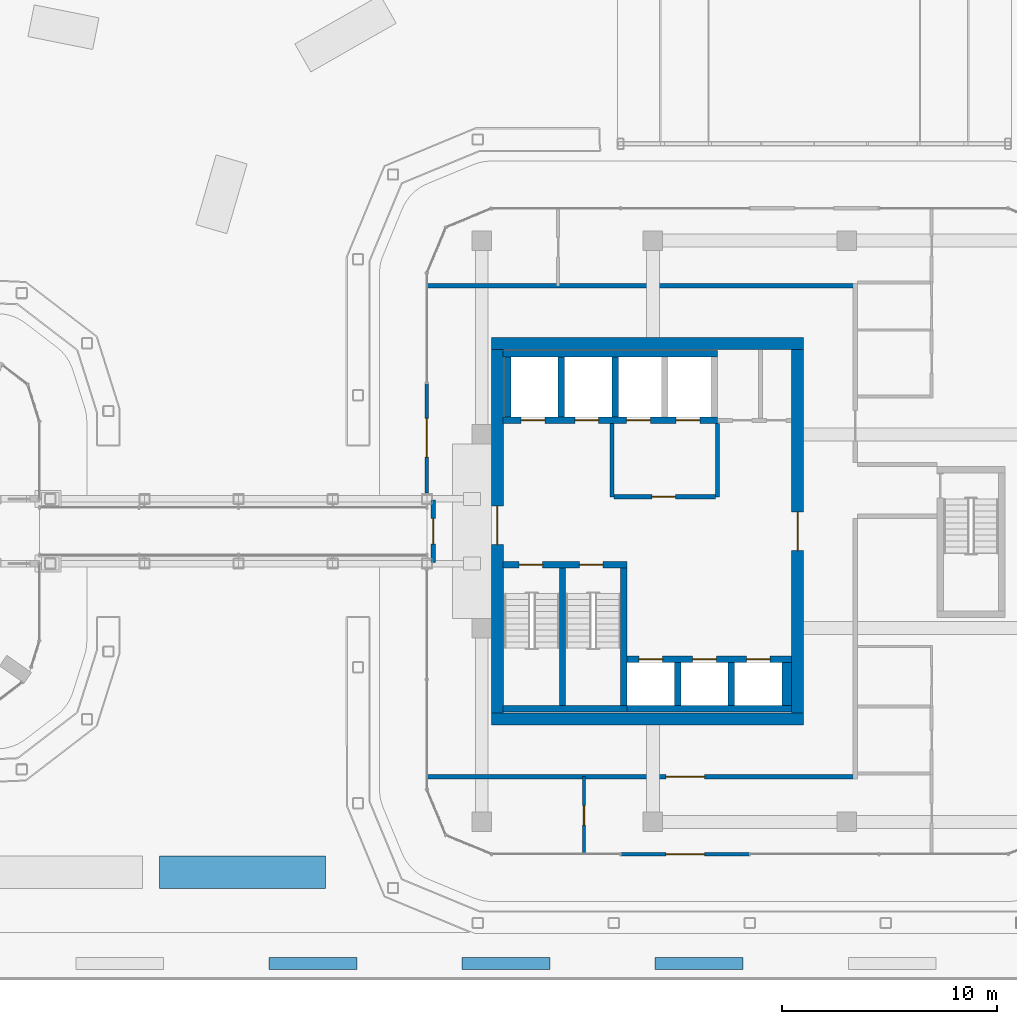
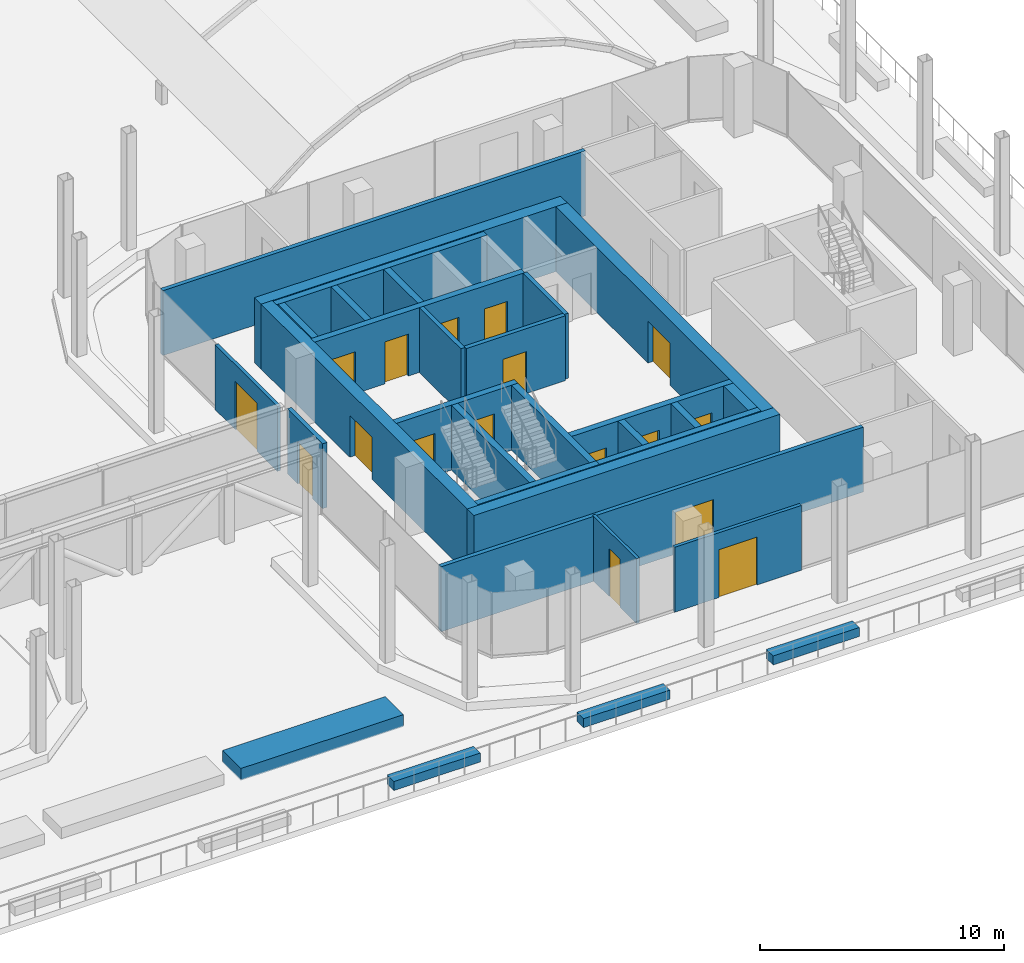
# One storey, part 27 of 33: 31 walls, 17 doors, 17 openings.
"""IFC4 building model written with IfcOpenShell, lengths in metres."""

from ifc_helpers import new_model, si_unit, direction, frame, frame_2d, origin, place, context, subcontext, project, spatial, rectangle, extrude, material, layer, layer_set, type_object, element, fill, save


model = new_model("IFC4")

# Units and contexts
model_context = context("Model", 3, precision=1e-05, world=origin(), true_north=direction((0.0, 1.0)))
body_context = subcontext(model_context, "Body", "Model", "MODEL_VIEW")
ifc_project = project(units=[si_unit("LENGTHUNIT", "METRE"), si_unit("AREAUNIT", "SQUARE_METRE"), si_unit("VOLUMEUNIT", "CUBIC_METRE"), si_unit("PLANEANGLEUNIT", "RADIAN"), si_unit("MASSUNIT", "GRAM", prefix="KILO")], contexts=[model_context])

# Site, building, storey
site_placement = place(None, origin())
site = spatial("IfcSite", under=ifc_project, at=site_placement, CompositionType="ELEMENT")
building_placement = place(site_placement, origin())
building = spatial("IfcBuilding", under=site, at=building_placement, Name="Plateau Cross Towers", CompositionType="ELEMENT")
storey_placement = place(building_placement, frame((0.0, 0.0, 26.800048828125)))
storey = spatial("IfcBuildingStorey", under=building, at=storey_placement, Name="L05", CompositionType="ELEMENT", Elevation=26.800048828125)

# Wall
ifc_material_1 = material(Name="Concrete block, plastered both sides", Category="concrete")
ifc_layer_1 = layer(ifc_material_1, 0.199951171875)
ifc_layer_set_1 = layer_set([ifc_layer_1], Name="Concrete block, plastered both sides")
wall_type_1 = type_object("IfcWallType", Name="Core partition 200", PredefinedType="PARTITIONING", material=ifc_layer_set_1)
wall_1_placement = place(storey_placement, frame((80.60009765625, 10.60009765625, 0.0), z_axis=(0.0, 0.0, 1.0), x_axis=(0.0, 1.0, 0.0)))
element("IfcWall", 1, at=wall_1_placement, inside=storey, type_object=wall_type_1, Name="Core partition", PredefinedType="PARTITIONING", context=body_context, shape_type="SweptSolid", body=[
    extrude(rectangle(XDim=3.39990234375, YDim=0.199951171875, at=frame_2d((1.699951171875, 0.0))), origin(), (0.0, 0.0, 1.0), 3.25),
])

# Wall, opening, door
wall_2_placement = place(storey_placement, frame((80.699951171875, 10.60009765625, 0.0), z_axis=(0.0, 0.0, 1.0), x_axis=(1.0, 0.0, 0.0)))
wall_2 = element("IfcWall", 2, at=wall_2_placement, inside=storey, type_object=wall_type_1, Name="Core partition", PredefinedType="PARTITIONING", context=body_context, shape_type="SweptSolid", body=[
    extrude(rectangle(XDim=4.699951171875, YDim=0.199951171875, at=frame_2d((2.35009765625, 0.0))), origin(), (0.0, 0.0, 1.0), 3.25),
])
opening_1_placement = place(wall_2_placement, frame((1.75, 0.0, 0.0)))
opening_1 = element("IfcOpeningElement", 3, at=opening_1_placement, cuts=wall_2, Name="Opening FFD", PredefinedType="OPENING", context=body_context, shape_type="SweptSolid", body=[
    extrude(rectangle(XDim=1.10009765625, YDim=2.10009765625, at=frame_2d((0.550048828125, 1.050048828125))), frame((0.0, 0.10986328125, 0.0), z_axis=(0.0, -1.0, 0.0), x_axis=(1.0, 0.0, 0.0)), (0.0, 0.0, 1.0), 0.219970703125),
])
ifc_material_2 = material(Name="Steel, fire-resisting leaf", Category="steel")
door_type_1 = type_object("IfcDoorType", Name="Firefighting lobby door 1100", OperationType="NOTDEFINED", PredefinedType="DOOR", material=ifc_material_2)
door_1_placement = place(opening_1_placement, origin())
door_1 = element("IfcDoor", 4, at=door_1_placement, inside=storey, type_object=door_type_1, Name="Firefighting lobby door FFD", OperationType="SINGLE_SWING_LEFT", OverallHeight=2.10009765625, OverallWidth=1.10009765625, PredefinedType="DOOR", context=body_context, shape_type="SweptSolid", body=[
    extrude(rectangle(XDim=1.10009765625, YDim=2.10009765625, at=frame_2d((0.550048828125, 1.050048828125))), frame((0.0, 0.02490234375, 0.0), z_axis=(0.0, -1.0, 0.0), x_axis=(1.0, 0.0, 0.0)), (0.0, 0.0, 1.0), 0.050048828125),
])
fill(opening_1, door_1)

# Walls
wall_3_placement = place(storey_placement, frame((85.5, 10.60009765625, 0.0), z_axis=(0.0, 0.0, 1.0), x_axis=(0.0, 1.0, 0.0)))
element("IfcWall", 5, at=wall_3_placement, inside=storey, type_object=wall_type_1, Name="Core partition", PredefinedType="PARTITIONING", context=body_context, shape_type="SweptSolid", body=[
    extrude(rectangle(XDim=3.39990234375, YDim=0.199951171875, at=frame_2d((1.699951171875, 0.0))), origin(), (0.0, 0.0, 1.0), 3.25),
])
ifc_material_3 = material(Name="Concrete C60/75", Category="concrete")
ifc_layer_2 = layer(ifc_material_3, 0.300048828125)
ifc_layer_set_2 = layer_set([ifc_layer_2], Name="Concrete C60/75")
wall_type_2 = type_object("IfcWallType", Name="Core shaft wall 300", PredefinedType="SHEAR", material=ifc_layer_set_2)
wall_4_placement = place(storey_placement, frame((75.530029296875, 0.75, 0.0), z_axis=(0.0, 0.0, 1.0), x_axis=(1.0, 0.0, 0.0)))
element("IfcWall", 6, at=wall_4_placement, inside=storey, type_object=wall_type_2, Name="B-sb-stS@L05", PredefinedType="SHEAR", context=body_context, shape_type="SweptSolid", body=[
    extrude(rectangle(XDim=5.77001953125, YDim=0.300048828125, at=frame_2d((2.885009765625, 0.0))), origin(), (0.0, 0.0, 1.0), 3.25),
])

# Wall, openings, doors
wall_5_placement = place(storey_placement, frame((75.530029296875, 7.449951171875, 0.0), z_axis=(0.0, 0.0, 1.0), x_axis=(1.0, 0.0, 0.0)))
wall_5 = element("IfcWall", 7, at=wall_5_placement, inside=storey, type_object=wall_type_2, Name="B-sb-stN@L05", PredefinedType="SHEAR", context=body_context, shape_type="SweptSolid", body=[
    extrude(rectangle(XDim=5.77001953125, YDim=0.300048828125, at=frame_2d((2.885009765625, 0.0))), origin(), (0.0, 0.0, 1.0), 3.25),
])
opening_2_placement = place(wall_5_placement, frame((0.75, 0.0, 0.0)))
opening_2 = element("IfcOpeningElement", 8, at=opening_2_placement, cuts=wall_5, Name="Opening SD", PredefinedType="OPENING", context=body_context, shape_type="SweptSolid", body=[
    extrude(rectangle(XDim=1.10009765625, YDim=2.10009765625, at=frame_2d((0.550048828125, 1.050048828125))), frame((0.0, 0.159912109375, 0.0), z_axis=(0.0, -1.0, 0.0), x_axis=(1.0, 0.0, 0.0)), (0.0, 0.0, 1.0), 0.320068359375),
])
opening_3_placement = place(wall_5_placement, frame((3.550048828125, 0.0, 0.0)))
opening_3 = element("IfcOpeningElement", 9, at=opening_3_placement, cuts=wall_5, Name="Opening SD", PredefinedType="OPENING", context=body_context, shape_type="SweptSolid", body=[
    extrude(rectangle(XDim=1.10009765625, YDim=2.10009765625, at=frame_2d((0.550048828125, 1.050048828125))), frame((0.0, 0.159912109375, 0.0), z_axis=(0.0, -1.0, 0.0), x_axis=(1.0, 0.0, 0.0)), (0.0, 0.0, 1.0), 0.320068359375),
])
door_type_2 = type_object("IfcDoorType", Name="Stair door 1100", OperationType="NOTDEFINED", PredefinedType="DOOR", material=ifc_material_2)
door_2_placement = place(opening_2_placement, origin())
door_2 = element("IfcDoor", 10, at=door_2_placement, inside=storey, type_object=door_type_2, Name="Stair door SD", OperationType="SINGLE_SWING_RIGHT", OverallHeight=2.10009765625, OverallWidth=1.10009765625, PredefinedType="DOOR", context=body_context, shape_type="SweptSolid", body=[
    extrude(rectangle(XDim=1.10009765625, YDim=2.10009765625, at=frame_2d((0.550048828125, 1.050048828125))), frame((0.0, 0.02490234375, 0.0), z_axis=(0.0, -1.0, 0.0), x_axis=(1.0, 0.0, 0.0)), (0.0, 0.0, 1.0), 0.050048828125),
])
fill(opening_2, door_2)
door_3_placement = place(opening_3_placement, origin())
door_3 = element("IfcDoor", 11, at=door_3_placement, inside=storey, type_object=door_type_2, Name="Stair door SD", OperationType="SINGLE_SWING_LEFT", OverallHeight=2.10009765625, OverallWidth=1.10009765625, PredefinedType="DOOR", context=body_context, shape_type="SweptSolid", body=[
    extrude(rectangle(XDim=1.10009765625, YDim=2.10009765625, at=frame_2d((0.550048828125, 1.050048828125))), frame((0.0, 0.02490234375, 0.0), z_axis=(0.0, -1.0, 0.0), x_axis=(1.0, 0.0, 0.0)), (0.0, 0.0, 1.0), 0.050048828125),
])
fill(opening_3, door_3)

# Walls
for number, where, z_axis, x_axis, name in (
    (12, (78.300048828125, 0.89990234375, 0.0), (0.0, 0.0, 1.0), (0.0, 1.0, 0.0), "B-sb-st1@L05"),
    (13, (81.14990234375, 0.89990234375, 0.0), (0.0, 0.0, 1.0), (0.0, 1.0, 0.0), "B-sb-st2@L05"),
):
    element("IfcWall", number, at=place(storey_placement, frame(where, z_axis=z_axis, x_axis=x_axis)), inside=storey, type_object=wall_type_2, Name=name, PredefinedType="SHEAR", context=body_context, shape_type="SweptSolid", body=[
        extrude(rectangle(XDim=6.400146484375, YDim=0.300048828125, at=frame_2d((3.2001953125, 0.0))), origin(), (0.0, 0.0, 1.0), 3.25),
    ])
wall_6_placement = place(storey_placement, frame((81.300048828125, 0.75, 0.0), z_axis=(0.0, 0.0, 1.0), x_axis=(1.0, 0.0, 0.0)))
element("IfcWall", 14, at=wall_6_placement, inside=storey, type_object=wall_type_2, Name="B-sb-back@L05", PredefinedType="SHEAR", context=body_context, shape_type="SweptSolid", body=[
    extrude(rectangle(XDim=7.64990234375, YDim=0.300048828125, at=frame_2d((3.824951171875, 0.0))), origin(), (0.0, 0.0, 1.0), 3.25),
])
for number, where, z_axis, x_axis, name in (
    (15, (83.64990234375, 0.89990234375, 0.0), (0.0, 0.0, 1.0), (0.0, 1.0, 0.0), "B-sb-v1@L05"),
    (16, (86.14990234375, 0.89990234375, 0.0), (0.0, 0.0, 1.0), (0.0, 1.0, 0.0), "B-sb-v2@L05"),
):
    element("IfcWall", number, at=place(storey_placement, frame(where, z_axis=z_axis, x_axis=x_axis)), inside=storey, type_object=wall_type_2, Name=name, PredefinedType="SHEAR", context=body_context, shape_type="SweptSolid", body=[
        extrude(rectangle(XDim=2.0, YDim=0.300048828125, at=frame_2d((1.0, 0.0))), origin(), (0.0, 0.0, 1.0), 3.25),
    ])

# Wall, openings, doors
wall_7_placement = place(storey_placement, frame((81.300048828125, 3.050048828125, 0.0), z_axis=(0.0, 0.0, 1.0), x_axis=(1.0, 0.0, 0.0)))
wall_7 = element("IfcWall", 17, at=wall_7_placement, inside=storey, type_object=wall_type_2, Name="B-sb-front@L05", PredefinedType="SHEAR", context=body_context, shape_type="SweptSolid", body=[
    extrude(rectangle(XDim=7.64990234375, YDim=0.300048828125, at=frame_2d((3.824951171875, 0.0))), origin(), (0.0, 0.0, 1.0), 3.25),
])
opening_4_placement = place(wall_7_placement, frame((0.550048828125, 0.0, 0.0)))
opening_4 = element("IfcOpeningElement", 18, at=opening_4_placement, cuts=wall_7, Name="Opening LD", PredefinedType="OPENING", context=body_context, shape_type="SweptSolid", body=[
    extrude(rectangle(XDim=1.10009765625, YDim=2.10009765625, at=frame_2d((0.550048828125, 1.050048828125))), frame((0.0, 0.159912109375, 0.0), z_axis=(0.0, -1.0, 0.0), x_axis=(1.0, 0.0, 0.0)), (0.0, 0.0, 1.0), 0.320068359375),
])
opening_5_placement = place(wall_7_placement, frame((3.050048828125, 0.0, 0.0)))
opening_5 = element("IfcOpeningElement", 19, at=opening_5_placement, cuts=wall_7, Name="Opening LD", PredefinedType="OPENING", context=body_context, shape_type="SweptSolid", body=[
    extrude(rectangle(XDim=1.10009765625, YDim=2.10009765625, at=frame_2d((0.550048828125, 1.050048828125))), frame((0.0, 0.159912109375, 0.0), z_axis=(0.0, -1.0, 0.0), x_axis=(1.0, 0.0, 0.0)), (0.0, 0.0, 1.0), 0.320068359375),
])
opening_6_placement = place(wall_7_placement, frame((5.550048828125, 0.0, 0.0)))
opening_6 = element("IfcOpeningElement", 20, at=opening_6_placement, cuts=wall_7, Name="Opening LD", PredefinedType="OPENING", context=body_context, shape_type="SweptSolid", body=[
    extrude(rectangle(XDim=1.10009765625, YDim=2.10009765625, at=frame_2d((0.550048828125, 1.050048828125))), frame((0.0, 0.159912109375, 0.0), z_axis=(0.0, -1.0, 0.0), x_axis=(1.0, 0.0, 0.0)), (0.0, 0.0, 1.0), 0.320068359375),
])
ifc_material_4 = material(Name="Stainless steel, fire-resisting sliding leaves", Category="steel")
door_type_3 = type_object("IfcDoorType", Name="Lift landing door 1100", OperationType="NOTDEFINED", PredefinedType="DOOR", material=ifc_material_4)
door_4_placement = place(opening_4_placement, origin())
door_4 = element("IfcDoor", 21, at=door_4_placement, inside=storey, type_object=door_type_3, Name="Lift landing door LD", OperationType="DOUBLE_DOOR_SLIDING", OverallHeight=2.10009765625, OverallWidth=1.10009765625, PredefinedType="DOOR", context=body_context, shape_type="SweptSolid", body=[
    extrude(rectangle(XDim=1.10009765625, YDim=2.10009765625, at=frame_2d((0.550048828125, 1.050048828125))), frame((0.0, 0.02490234375, 0.0), z_axis=(0.0, -1.0, 0.0), x_axis=(1.0, 0.0, 0.0)), (0.0, 0.0, 1.0), 0.050048828125),
])
fill(opening_4, door_4)
door_5_placement = place(opening_5_placement, origin())
door_5 = element("IfcDoor", 22, at=door_5_placement, inside=storey, type_object=door_type_3, Name="Lift landing door LD", OperationType="DOUBLE_DOOR_SLIDING", OverallHeight=2.10009765625, OverallWidth=1.10009765625, PredefinedType="DOOR", context=body_context, shape_type="SweptSolid", body=[
    extrude(rectangle(XDim=1.10009765625, YDim=2.10009765625, at=frame_2d((0.550048828125, 1.050048828125))), frame((0.0, 0.02490234375, 0.0), z_axis=(0.0, -1.0, 0.0), x_axis=(1.0, 0.0, 0.0)), (0.0, 0.0, 1.0), 0.050048828125),
])
fill(opening_5, door_5)
door_6_placement = place(opening_6_placement, origin())
door_6 = element("IfcDoor", 23, at=door_6_placement, inside=storey, type_object=door_type_3, Name="Lift landing door LD", OperationType="DOUBLE_DOOR_SLIDING", OverallHeight=2.10009765625, OverallWidth=1.10009765625, PredefinedType="DOOR", context=body_context, shape_type="SweptSolid", body=[
    extrude(rectangle(XDim=1.10009765625, YDim=2.10009765625, at=frame_2d((0.550048828125, 1.050048828125))), frame((0.0, 0.02490234375, 0.0), z_axis=(0.0, -1.0, 0.0), x_axis=(1.0, 0.0, 0.0)), (0.0, 0.0, 1.0), 0.050048828125),
])
fill(opening_6, door_6)

# Wall
wall_8_placement = place(storey_placement, frame((75.530029296875, 17.25, 0.0), z_axis=(0.0, 0.0, 1.0), x_axis=(1.0, 0.0, 0.0)))
element("IfcWall", 24, at=wall_8_placement, inside=storey, type_object=wall_type_2, Name="B-nb-back@L05", PredefinedType="SHEAR", context=body_context, shape_type="SweptSolid", body=[
    extrude(rectangle(XDim=9.969970703125, YDim=0.300048828125, at=frame_2d((4.98486328125, 0.0))), origin(), (0.0, 0.0, 1.0), 3.25),
])

# Wall, openings, doors
wall_9_placement = place(storey_placement, frame((75.530029296875, 14.14990234375, 0.0), z_axis=(0.0, 0.0, 1.0), x_axis=(1.0, 0.0, 0.0)))
wall_9 = element("IfcWall", 25, at=wall_9_placement, inside=storey, type_object=wall_type_2, Name="B-nb-front@L05", PredefinedType="SHEAR", context=body_context, shape_type="SweptSolid", body=[
    extrude(rectangle(XDim=9.969970703125, YDim=0.300048828125, at=frame_2d((4.98486328125, 0.0))), origin(), (0.0, 0.0, 1.0), 3.25),
])
opening_7_placement = place(wall_9_placement, frame((0.85009765625, 0.0, 0.0)))
opening_7 = element("IfcOpeningElement", 26, at=opening_7_placement, cuts=wall_9, Name="Opening LD", PredefinedType="OPENING", context=body_context, shape_type="SweptSolid", body=[
    extrude(rectangle(XDim=1.10009765625, YDim=2.10009765625, at=frame_2d((0.550048828125, 1.050048828125))), frame((0.0, 0.159912109375, 0.0), z_axis=(0.0, -1.0, 0.0), x_axis=(1.0, 0.0, 0.0)), (0.0, 0.0, 1.0), 0.320068359375),
])
opening_8_placement = place(wall_9_placement, frame((3.35009765625, 0.0, 0.0)))
opening_8 = element("IfcOpeningElement", 27, at=opening_8_placement, cuts=wall_9, Name="Opening LD", PredefinedType="OPENING", context=body_context, shape_type="SweptSolid", body=[
    extrude(rectangle(XDim=1.10009765625, YDim=2.10009765625, at=frame_2d((0.550048828125, 1.050048828125))), frame((0.0, 0.159912109375, 0.0), z_axis=(0.0, -1.0, 0.0), x_axis=(1.0, 0.0, 0.0)), (0.0, 0.0, 1.0), 0.320068359375),
])
opening_9_placement = place(wall_9_placement, frame((5.75, 0.0, 0.0)))
opening_9 = element("IfcOpeningElement", 28, at=opening_9_placement, cuts=wall_9, Name="Opening LD", PredefinedType="OPENING", context=body_context, shape_type="SweptSolid", body=[
    extrude(rectangle(XDim=1.10009765625, YDim=2.10009765625, at=frame_2d((0.550048828125, 1.050048828125))), frame((0.0, 0.159912109375, 0.0), z_axis=(0.0, -1.0, 0.0), x_axis=(1.0, 0.0, 0.0)), (0.0, 0.0, 1.0), 0.320068359375),
])
opening_10_placement = place(wall_9_placement, frame((8.050048828125, 0.0, 0.0)))
opening_10 = element("IfcOpeningElement", 29, at=opening_10_placement, cuts=wall_9, Name="Opening LD", PredefinedType="OPENING", context=body_context, shape_type="SweptSolid", body=[
    extrude(rectangle(XDim=1.10009765625, YDim=2.10009765625, at=frame_2d((0.550048828125, 1.050048828125))), frame((0.0, 0.159912109375, 0.0), z_axis=(0.0, -1.0, 0.0), x_axis=(1.0, 0.0, 0.0)), (0.0, 0.0, 1.0), 0.320068359375),
])
door_7_placement = place(opening_7_placement, origin())
door_7 = element("IfcDoor", 30, at=door_7_placement, inside=storey, type_object=door_type_3, Name="Lift landing door LD", OperationType="DOUBLE_DOOR_SLIDING", OverallHeight=2.10009765625, OverallWidth=1.10009765625, PredefinedType="DOOR", context=body_context, shape_type="SweptSolid", body=[
    extrude(rectangle(XDim=1.10009765625, YDim=2.10009765625, at=frame_2d((0.550048828125, 1.050048828125))), frame((0.0, 0.02490234375, 0.0), z_axis=(0.0, -1.0, 0.0), x_axis=(1.0, 0.0, 0.0)), (0.0, 0.0, 1.0), 0.050048828125),
])
fill(opening_7, door_7)
door_8_placement = place(opening_8_placement, origin())
door_8 = element("IfcDoor", 31, at=door_8_placement, inside=storey, type_object=door_type_3, Name="Lift landing door LD", OperationType="DOUBLE_DOOR_SLIDING", OverallHeight=2.10009765625, OverallWidth=1.10009765625, PredefinedType="DOOR", context=body_context, shape_type="SweptSolid", body=[
    extrude(rectangle(XDim=1.10009765625, YDim=2.10009765625, at=frame_2d((0.550048828125, 1.050048828125))), frame((0.0, 0.02490234375, 0.0), z_axis=(0.0, -1.0, 0.0), x_axis=(1.0, 0.0, 0.0)), (0.0, 0.0, 1.0), 0.050048828125),
])
fill(opening_8, door_8)
door_9_placement = place(opening_9_placement, origin())
door_9 = element("IfcDoor", 32, at=door_9_placement, inside=storey, type_object=door_type_3, Name="Lift landing door LD", OperationType="DOUBLE_DOOR_SLIDING", OverallHeight=2.10009765625, OverallWidth=1.10009765625, PredefinedType="DOOR", context=body_context, shape_type="SweptSolid", body=[
    extrude(rectangle(XDim=1.10009765625, YDim=2.10009765625, at=frame_2d((0.550048828125, 1.050048828125))), frame((0.0, 0.02490234375, 0.0), z_axis=(0.0, -1.0, 0.0), x_axis=(1.0, 0.0, 0.0)), (0.0, 0.0, 1.0), 0.050048828125),
])
fill(opening_9, door_9)
door_10_placement = place(opening_10_placement, origin())
door_10 = element("IfcDoor", 33, at=door_10_placement, inside=storey, type_object=door_type_3, Name="Lift landing door LD", OperationType="DOUBLE_DOOR_SLIDING", OverallHeight=2.10009765625, OverallWidth=1.10009765625, PredefinedType="DOOR", context=body_context, shape_type="SweptSolid", body=[
    extrude(rectangle(XDim=1.10009765625, YDim=2.10009765625, at=frame_2d((0.550048828125, 1.050048828125))), frame((0.0, 0.02490234375, 0.0), z_axis=(0.0, -1.0, 0.0), x_axis=(1.0, 0.0, 0.0)), (0.0, 0.0, 1.0), 0.050048828125),
])
fill(opening_10, door_10)

# Walls
for number, where, z_axis, x_axis, name in (
    (34, (75.75, 14.300048828125, 0.0), (0.0, 0.0, 1.0), (0.0, 1.0, 0.0), "B-nb-v0@L05"),
    (35, (78.25, 14.300048828125, 0.0), (0.0, 0.0, 1.0), (0.0, 1.0, 0.0), "B-nb-v1@L05"),
    (36, (80.75, 14.300048828125, 0.0), (0.0, 0.0, 1.0), (0.0, 1.0, 0.0), "B-nb-v2@L05"),
):
    element("IfcWall", number, at=place(storey_placement, frame(where, z_axis=z_axis, x_axis=x_axis)), inside=storey, type_object=wall_type_2, Name=name, PredefinedType="SHEAR", context=body_context, shape_type="SweptSolid", body=[
        extrude(rectangle(XDim=2.800048828125, YDim=0.300048828125, at=frame_2d((1.39990234375, 0.0))), origin(), (0.0, 0.0, 1.0), 3.25),
    ])
ifc_layer_3 = layer(ifc_material_3, 0.449951171875)
ifc_layer_set_3 = layer_set([ifc_layer_3], Name="Concrete C60/75")
wall_type_3 = type_object("IfcWallType", Name="Core shaft wall 450", PredefinedType="SHEAR", material=ifc_layer_set_3)
wall_10_placement = place(storey_placement, frame((88.72509765625, 0.89990234375, 0.0), z_axis=(0.0, 0.0, 1.0), x_axis=(0.0, 1.0, 0.0)))
element("IfcWall", 37, at=wall_10_placement, inside=storey, type_object=wall_type_3, Name="B-sb-v3@L05", PredefinedType="SHEAR", context=body_context, shape_type="SweptSolid", body=[
    extrude(rectangle(XDim=2.0, YDim=0.449951171875, at=frame_2d((1.0, 0.0))), origin(), (0.0, 0.0, 1.0), 3.25),
])
ifc_layer_4 = layer(ifc_material_3, 0.550048828125)
ifc_layer_set_4 = layer_set([ifc_layer_4], Name="Concrete C60/75")
wall_type_4 = type_object("IfcWallType", Name="Core shell wall 550", PredefinedType="SHEAR", material=ifc_layer_set_4)
for number, where, z_axis, x_axis, name in (
    (38, (75.0, 0.27490234375, 0.0), (0.0, 0.0, 1.0), (1.0, 0.0, 0.0), "B-core-S@L05"),
    (39, (75.0, 17.72509765625, 0.0), (0.0, 0.0, 1.0), (1.0, 0.0, 0.0), "B-core-N@L05"),
):
    element("IfcWall", number, at=place(storey_placement, frame(where, z_axis=z_axis, x_axis=x_axis)), inside=storey, type_object=wall_type_4, Name=name, PredefinedType="SHEAR", context=body_context, shape_type="SweptSolid", body=[
        extrude(rectangle(XDim=14.5, YDim=0.550048828125, at=frame_2d((7.25, 0.0))), origin(), (0.0, 0.0, 1.0), 3.25),
    ])

# Wall, opening, door
wall_11_placement = place(storey_placement, frame((75.27490234375, 0.550048828125, 0.0), z_axis=(0.0, 0.0, 1.0), x_axis=(0.0, 1.0, 0.0)))
wall_11 = element("IfcWall", 40, at=wall_11_placement, inside=storey, type_object=wall_type_4, Name="B-core-W@L05", PredefinedType="SHEAR", context=body_context, shape_type="SweptSolid", body=[
    extrude(rectangle(XDim=16.89990234375, YDim=0.550048828125, at=frame_2d((8.449951171875, 0.0))), origin(), (0.0, 0.0, 1.0), 3.25),
])
opening_11_placement = place(wall_11_placement, frame((7.824951171875, 0.0, 0.0)))
opening_11 = element("IfcOpeningElement", 41, at=opening_11_placement, cuts=wall_11, Name="Opening CD", PredefinedType="OPENING", context=body_context, shape_type="SweptSolid", body=[
    extrude(rectangle(XDim=1.800048828125, YDim=2.10009765625, at=frame_2d((0.89990234375, 1.050048828125))), frame((0.0, 0.284912109375, 0.0), z_axis=(0.0, -1.0, 0.0), x_axis=(1.0, 0.0, 0.0)), (0.0, 0.0, 1.0), 0.570068359375),
])
ifc_material_5 = material(Name="Steel, fire-resisting leaves", Category="steel")
door_type_4 = type_object("IfcDoorType", Name="Corridor door pair 1800", OperationType="NOTDEFINED", PredefinedType="DOOR", material=ifc_material_5)
door_11_placement = place(opening_11_placement, origin())
door_11 = element("IfcDoor", 42, at=door_11_placement, inside=storey, type_object=door_type_4, Name="Corridor door pair CD", OperationType="DOUBLE_DOOR_SINGLE_SWING", OverallHeight=2.10009765625, OverallWidth=1.800048828125, PredefinedType="DOOR", context=body_context, shape_type="SweptSolid", body=[
    extrude(rectangle(XDim=1.800048828125, YDim=2.10009765625, at=frame_2d((0.89990234375, 1.050048828125))), frame((0.0, 0.02490234375, 0.0), z_axis=(0.0, -1.0, 0.0), x_axis=(1.0, 0.0, 0.0)), (0.0, 0.0, 1.0), 0.050048828125),
])
fill(opening_11, door_11)

wall_12_placement = place(storey_placement, frame((89.22509765625, 0.550048828125, 0.0), z_axis=(0.0, 0.0, 1.0), x_axis=(0.0, 1.0, 0.0)))
wall_12 = element("IfcWall", 43, at=wall_12_placement, inside=storey, type_object=wall_type_4, Name="B-core-E@L05", PredefinedType="SHEAR", context=body_context, shape_type="SweptSolid", body=[
    extrude(rectangle(XDim=16.89990234375, YDim=0.550048828125, at=frame_2d((8.449951171875, 0.0))), origin(), (0.0, 0.0, 1.0), 3.25),
])
opening_12_placement = place(wall_12_placement, frame((7.550048828125, 0.0, 0.0)))
opening_12 = element("IfcOpeningElement", 44, at=opening_12_placement, cuts=wall_12, Name="Opening CD", PredefinedType="OPENING", context=body_context, shape_type="SweptSolid", body=[
    extrude(rectangle(XDim=1.800048828125, YDim=2.10009765625, at=frame_2d((0.89990234375, 1.050048828125))), frame((0.0, 0.284912109375, 0.0), z_axis=(0.0, -1.0, 0.0), x_axis=(1.0, 0.0, 0.0)), (0.0, 0.0, 1.0), 0.570068359375),
])
door_12_placement = place(opening_12_placement, origin())
door_12 = element("IfcDoor", 45, at=door_12_placement, inside=storey, type_object=door_type_4, Name="Corridor door pair CD", OperationType="DOUBLE_DOOR_SINGLE_SWING", OverallHeight=2.10009765625, OverallWidth=1.800048828125, PredefinedType="DOOR", context=body_context, shape_type="SweptSolid", body=[
    extrude(rectangle(XDim=1.800048828125, YDim=2.10009765625, at=frame_2d((0.89990234375, 1.050048828125))), frame((0.0, 0.02490234375, 0.0), z_axis=(0.0, -1.0, 0.0), x_axis=(1.0, 0.0, 0.0)), (0.0, 0.0, 1.0), 0.050048828125),
])
fill(opening_12, door_12)

ifc_material_6 = material(Name="Gypsum board on steel studs, two layers each side", Category="steel")
ifc_layer_5 = layer(ifc_material_6, 0.199951171875)
ifc_layer_set_5 = layer_set([ifc_layer_5], Name="Gypsum board on steel studs, two layers each side")
wall_type_5 = type_object("IfcWallType", Name="Corridor wall 200", PredefinedType="PARTITIONING", material=ifc_layer_set_5)
wall_13_placement = place(storey_placement, frame((72.0, -2.39990234375, 0.0), z_axis=(0.0, 0.0, 1.0), x_axis=(1.0, 0.0, 0.0)))
wall_13 = element("IfcWall", 46, at=wall_13_placement, inside=storey, type_object=wall_type_5, Name="Ring wall", PredefinedType="PARTITIONING", context=body_context, shape_type="SweptSolid", body=[
    extrude(rectangle(XDim=20.0, YDim=0.199951171875, at=frame_2d((10.0, 0.0))), origin(), (0.0, 0.0, 1.0), 3.25),
])
opening_13_placement = place(wall_13_placement, frame((11.10009765625, 0.0, 0.0)))
opening_13 = element("IfcOpeningElement", 47, at=opening_13_placement, cuts=wall_13, Name="Opening D-BE18", PredefinedType="OPENING", context=body_context, shape_type="SweptSolid", body=[
    extrude(rectangle(XDim=1.800048828125, YDim=2.10009765625, at=frame_2d((0.89990234375, 1.050048828125))), frame((0.0, 0.10986328125, 0.0), z_axis=(0.0, -1.0, 0.0), x_axis=(1.0, 0.0, 0.0)), (0.0, 0.0, 1.0), 0.219970703125),
])
ifc_material_7 = material(Name="Timber, fire-resisting leaves", Category="wood")
door_type_5 = type_object("IfcDoorType", Name="Tenant entrance door pair 1800", OperationType="NOTDEFINED", PredefinedType="DOOR", material=ifc_material_7)
door_13_placement = place(opening_13_placement, origin())
door_13 = element("IfcDoor", 48, at=door_13_placement, inside=storey, type_object=door_type_5, Name="Door D-BE18", OperationType="DOUBLE_DOOR_SINGLE_SWING", OverallHeight=2.10009765625, OverallWidth=1.800048828125, PredefinedType="DOOR", context=body_context, shape_type="SweptSolid", body=[
    extrude(rectangle(XDim=1.800048828125, YDim=2.10009765625, at=frame_2d((0.89990234375, 1.050048828125))), frame((0.0, 0.02490234375, 0.0), z_axis=(0.0, -1.0, 0.0), x_axis=(1.0, 0.0, 0.0)), (0.0, 0.0, 1.0), 0.050048828125),
])
fill(opening_13, door_13)

# Wall
wall_14_placement = place(storey_placement, frame((72.0, 20.39990234375, 0.0), z_axis=(0.0, 0.0, 1.0), x_axis=(1.0, 0.0, 0.0)))
element("IfcWall", 49, at=wall_14_placement, inside=storey, type_object=wall_type_5, Name="Ring wall", PredefinedType="PARTITIONING", context=body_context, shape_type="SweptSolid", body=[
    extrude(rectangle(XDim=20.0, YDim=0.199951171875, at=frame_2d((10.0, 0.0))), origin(), (0.0, 0.0, 1.0), 3.25),
])

# Wall, opening, door
wall_15_placement = place(storey_placement, frame((72.300048828125, 7.550048828125, 0.0), z_axis=(0.0, 0.0, 1.0), x_axis=(0.0, 1.0, 0.0)))
wall_15 = element("IfcWall", 50, at=wall_15_placement, inside=storey, type_object=wall_type_5, Name="Ring wall", PredefinedType="PARTITIONING", context=body_context, shape_type="SweptSolid", body=[
    extrude(rectangle(XDim=2.89990234375, YDim=0.199951171875, at=frame_2d((1.449951171875, 0.0))), origin(), (0.0, 0.0, 1.0), 3.25),
])
opening_14_placement = place(wall_15_placement, frame((0.85009765625, 0.0, 0.0)))
opening_14 = element("IfcOpeningElement", 51, at=opening_14_placement, cuts=wall_15, Name="Opening D-BF12", PredefinedType="OPENING", context=body_context, shape_type="SweptSolid", body=[
    extrude(rectangle(XDim=1.199951171875, YDim=2.10009765625, at=frame_2d((0.60009765625, 1.050048828125))), frame((0.0, 0.10986328125, 0.0), z_axis=(0.0, -1.0, 0.0), x_axis=(1.0, 0.0, 0.0)), (0.0, 0.0, 1.0), 0.219970703125),
])
door_type_6 = type_object("IfcDoorType", Name="Bridge fire door 1200", OperationType="NOTDEFINED", PredefinedType="DOOR", material=ifc_material_2)
door_14_placement = place(opening_14_placement, origin())
door_14 = element("IfcDoor", 52, at=door_14_placement, inside=storey, type_object=door_type_6, Name="Door D-BF12", OperationType="SINGLE_SWING_LEFT", OverallHeight=2.10009765625, OverallWidth=1.199951171875, PredefinedType="DOOR", context=body_context, shape_type="SweptSolid", body=[
    extrude(rectangle(XDim=1.199951171875, YDim=2.10009765625, at=frame_2d((0.60009765625, 1.050048828125))), frame((0.0, 0.02490234375, 0.0), z_axis=(0.0, -1.0, 0.0), x_axis=(1.0, 0.0, 0.0)), (0.0, 0.0, 1.0), 0.050048828125),
])
fill(opening_14, door_14)

ifc_material_8 = material(Name="Aluminium framed glazing", Category="aluminium")
ifc_layer_6 = layer(ifc_material_8, 0.159912109375)
ifc_layer_set_6 = layer_set([ifc_layer_6], Name="Aluminium framed glazing")
wall_type_6 = type_object("IfcWallType", Name="Entrance screen wall 160", PredefinedType="STANDARD", material=ifc_layer_set_6)
wall_16_placement = place(storey_placement, frame((87.0, -6.0, 0.0), z_axis=(0.0, 0.0, 1.0), x_axis=(-1.0, 0.0, 0.0)))
wall_16 = element("IfcWall", 53, at=wall_16_placement, inside=storey, type_object=wall_type_6, Name="Deck B1 screen wall", PredefinedType="STANDARD", context=body_context, shape_type="SweptSolid", body=[
    extrude(rectangle(XDim=6.0, YDim=0.159912109375, at=frame_2d((3.0, 0.0))), origin(), (0.0, 0.0, 1.0), 3.25),
])
opening_15_placement = place(wall_16_placement, frame((2.10009765625, 0.0, 0.0)))
opening_15 = element("IfcOpeningElement", 54, at=opening_15_placement, cuts=wall_16, Name="Opening XD1", PredefinedType="OPENING", context=body_context, shape_type="SweptSolid", body=[
    extrude(rectangle(XDim=1.800048828125, YDim=2.39990234375, at=frame_2d((0.89990234375, 1.199951171875))), frame((0.0, 0.08984375, 0.0), z_axis=(0.0, -1.0, 0.0), x_axis=(1.0, 0.0, 0.0)), (0.0, 0.0, 1.0), 0.179931640625),
])
door_type_7 = type_object("IfcDoorType", Name="Terrace door double leaf 1800x2400", OperationType="DOUBLE_DOOR_SINGLE_SWING", PredefinedType="DOOR", material=ifc_material_8)
door_15_placement = place(opening_15_placement, origin())
door_15 = element("IfcDoor", 55, at=door_15_placement, inside=storey, type_object=door_type_7, Name="Deck B1 door", OperationType="SINGLE_SWING_LEFT", OverallHeight=2.39990234375, OverallWidth=1.800048828125, PredefinedType="DOOR", context=body_context, shape_type="SweptSolid", body=[
    extrude(rectangle(XDim=1.800048828125, YDim=2.39990234375, at=frame_2d((0.89990234375, 1.199951171875))), frame((0.0, 0.02490234375, 0.0), z_axis=(0.0, -1.0, 0.0), x_axis=(1.0, 0.0, 0.0)), (0.0, 0.0, 1.0), 0.050048828125),
])
fill(opening_15, door_15)

wall_17_placement = place(storey_placement, frame((72.0, 10.784912109375, 0.0), z_axis=(0.0, 0.0, 1.0), x_axis=(0.0, 1.0, 0.0)))
wall_17 = element("IfcWall", 56, at=wall_17_placement, inside=storey, type_object=wall_type_6, Name="Deck B4 screen wall", PredefinedType="STANDARD", context=body_context, shape_type="SweptSolid", body=[
    extrude(rectangle(XDim=5.107666015625, YDim=0.159912109375, at=frame_2d((2.5537109375, 0.0))), origin(), (0.0, 0.0, 1.0), 3.25),
])
opening_16_placement = place(wall_17_placement, frame((1.65380859375, 0.0, 0.0)))
opening_16 = element("IfcOpeningElement", 57, at=opening_16_placement, cuts=wall_17, Name="Opening XD1", PredefinedType="OPENING", context=body_context, shape_type="SweptSolid", body=[
    extrude(rectangle(XDim=1.800048828125, YDim=2.39990234375, at=frame_2d((0.89990234375, 1.199951171875))), frame((0.0, 0.08984375, 0.0), z_axis=(0.0, -1.0, 0.0), x_axis=(1.0, 0.0, 0.0)), (0.0, 0.0, 1.0), 0.179931640625),
])
door_16_placement = place(opening_16_placement, origin())
door_16 = element("IfcDoor", 58, at=door_16_placement, inside=storey, type_object=door_type_7, Name="Deck B4 door", OperationType="SINGLE_SWING_LEFT", OverallHeight=2.39990234375, OverallWidth=1.800048828125, PredefinedType="DOOR", context=body_context, shape_type="SweptSolid", body=[
    extrude(rectangle(XDim=1.800048828125, YDim=2.39990234375, at=frame_2d((0.89990234375, 1.199951171875))), frame((0.0, 0.02490234375, 0.0), z_axis=(0.0, -1.0, 0.0), x_axis=(1.0, 0.0, 0.0)), (0.0, 0.0, 1.0), 0.050048828125),
])
fill(opening_16, door_16)

ifc_material_9 = material(Name="Gypsum board on staggered steel studs, mineral wool, two layers each side", Category="steel")
ifc_layer_7 = layer(ifc_material_9, 0.139892578125)
ifc_layer_set_7 = layer_set([ifc_layer_7], Name="Gypsum board on staggered steel studs, mineral wool, two layers each side")
wall_type_7 = type_object("IfcWallType", Name="Meeting room acoustic partition 140", PredefinedType="PARTITIONING", material=ifc_layer_set_7)
wall_18_placement = place(storey_placement, frame((79.300048828125, -6.0, 0.0), z_axis=(0.0, 0.0, 1.0), x_axis=(0.0, 1.0, 0.0)))
wall_18 = element("IfcWall", 59, at=wall_18_placement, inside=storey, type_object=wall_type_7, Name="Acoustic wall", PredefinedType="PARTITIONING", context=body_context, shape_type="SweptSolid", body=[
    extrude(rectangle(XDim=3.60009765625, YDim=0.139892578125, at=frame_2d((1.800048828125, 0.0))), origin(), (0.0, 0.0, 1.0), 3.25),
])
opening_17_placement = place(wall_18_placement, frame((1.35009765625, 0.0, 0.0)))
opening_17 = element("IfcOpeningElement", 60, at=opening_17_placement, cuts=wall_18, Name="Opening D-BM9", PredefinedType="OPENING", context=body_context, shape_type="SweptSolid", body=[
    extrude(rectangle(XDim=0.89990234375, YDim=2.39990234375, at=frame_2d((0.449951171875, 1.199951171875))), frame((0.0, 0.079833984375, 0.0), z_axis=(0.0, -1.0, 0.0), x_axis=(1.0, 0.0, 0.0)), (0.0, 0.0, 1.0), 0.159912109375),
])
ifc_material_10 = material(Name="Timber leaf, full height", Category="wood")
door_type_8 = type_object("IfcDoorType", Name="Meeting room door 900x2400", OperationType="NOTDEFINED", PredefinedType="DOOR", material=ifc_material_10)
door_17_placement = place(opening_17_placement, origin())
door_17 = element("IfcDoor", 61, at=door_17_placement, inside=storey, type_object=door_type_8, Name="Door D-BM9", OperationType="SINGLE_SWING_LEFT", OverallHeight=2.39990234375, OverallWidth=0.89990234375, PredefinedType="DOOR", context=body_context, shape_type="SweptSolid", body=[
    extrude(rectangle(XDim=0.89990234375, YDim=2.39990234375, at=frame_2d((0.449951171875, 1.199951171875))), frame((0.0, 0.02490234375, 0.0), z_axis=(0.0, -1.0, 0.0), x_axis=(1.0, 0.0, 0.0)), (0.0, 0.0, 1.0), 0.050048828125),
])
fill(opening_17, door_17)

# Walls
ifc_material_11 = material(Name="Concrete C30/37", Category="concrete")
ifc_layer_8 = layer(ifc_material_11, 0.550048828125)
ifc_layer_set_8 = layer_set([ifc_layer_8], Name="Concrete C30/37")
wall_type_8 = type_object("IfcWallType", Name="Planter upstand 550", PredefinedType="STANDARD", material=ifc_layer_set_8)
wall_19_placement = place(storey_placement, frame((86.690673828125, -11.0849609375, 0.0), z_axis=(0.0, 0.0, 1.0), x_axis=(-1.0, 0.0, 0.0)))
element("IfcWall", 62, at=wall_19_placement, inside=storey, type_object=wall_type_8, Name="Planter 30", PredefinedType="STANDARD", context=body_context, shape_type="SweptSolid", body=[
    extrude(rectangle(XDim=4.086181640625, YDim=0.550048828125, at=frame_2d((2.04296875, 0.0))), origin(), (0.0, 0.0, 1.0), 0.449951171875),
])
for number, where, z_axis, x_axis, name in (
    (63, (77.718017578125, -11.0849609375, 0.0), (0.0, 0.0, 1.0), (-1.0, 0.0, 0.0), "Planter 31"),
    (64, (68.745361328125, -11.0849609375, 0.0), (0.0, 0.0, 1.0), (-1.0, 0.0, 0.0), "Planter 32"),
):
    element("IfcWall", number, at=place(storey_placement, frame(where, z_axis=z_axis, x_axis=x_axis)), inside=storey, type_object=wall_type_8, Name=name, PredefinedType="STANDARD", context=body_context, shape_type="SweptSolid", body=[
        extrude(rectangle(XDim=4.08642578125, YDim=0.550048828125, at=frame_2d((2.043212890625, 0.0))), origin(), (0.0, 0.0, 1.0), 0.449951171875),
    ])
ifc_layer_9 = layer(ifc_material_11, 1.5)
ifc_layer_set_9 = layer_set([ifc_layer_9], Name="Concrete C30/37")
wall_type_9 = type_object("IfcWallType", Name="Planting bed 1500", PredefinedType="STANDARD", material=ifc_layer_set_9)
wall_20_placement = place(storey_placement, frame((67.28271484375, -6.85009765625, 0.0), z_axis=(0.0, 0.0, 1.0), x_axis=(-1.0, 0.0, 0.0)))
element("IfcWall", 65, at=wall_20_placement, inside=storey, type_object=wall_type_9, Name="Planter bed 10", PredefinedType="STANDARD", context=body_context, shape_type="SweptSolid", body=[
    extrude(rectangle(XDim=7.7041015625, YDim=1.5, at=frame_2d((3.85205078125, 0.0))), origin(), (0.0, 0.0, 1.0), 0.599853515625),
])

save(model, "model.ifc")
